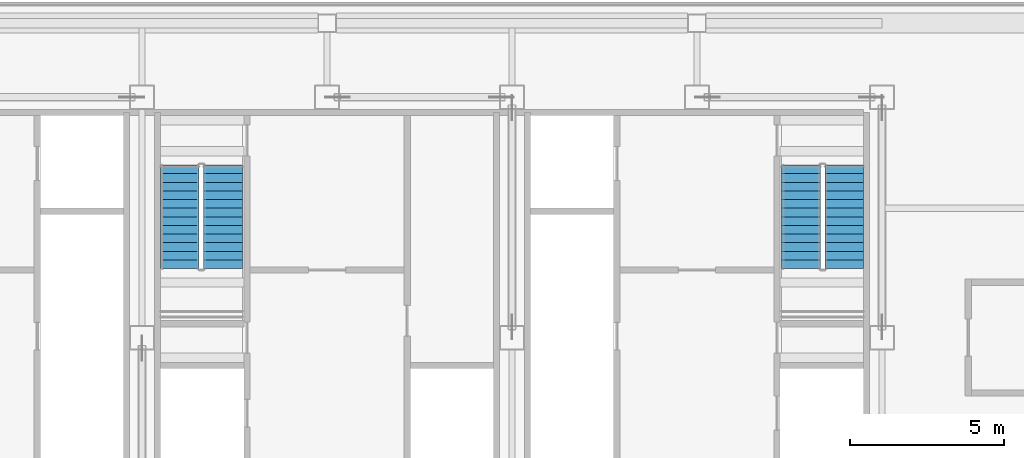
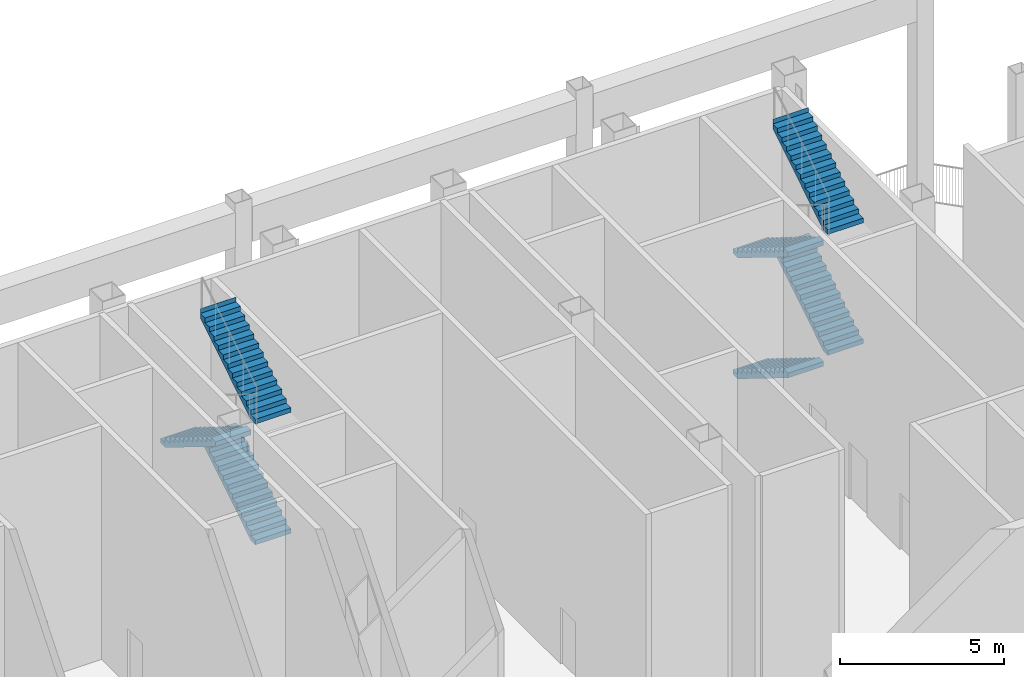
# One storey, part 10 of 22: 7 stair flights, 2 elements without a shape of their own.
"""IFC4 building model written with IfcOpenShell, lengths in metres."""

from ifc_helpers import new_model, si_unit, direction, frame, origin, place, context, subcontext, project, spatial, polyline, outline, extrude, material, type_object, element, aggregate, save


model = new_model("IFC4")

# Units and contexts
model_context = context("Model", 3, precision=1e-05, world=origin(), true_north=direction((0.0, 1.0)))
body_context = subcontext(model_context, "Body", "Model", "MODEL_VIEW")
ifc_project = project(units=[si_unit("LENGTHUNIT", "METRE"), si_unit("AREAUNIT", "SQUARE_METRE"), si_unit("VOLUMEUNIT", "CUBIC_METRE"), si_unit("PLANEANGLEUNIT", "RADIAN"), si_unit("MASSUNIT", "GRAM", prefix="KILO")], contexts=[model_context])

# Site, building, storey
site_placement = place(None, origin())
site = spatial("IfcSite", under=ifc_project, at=site_placement, CompositionType="ELEMENT")
building_placement = place(site_placement, origin())
building = spatial("IfcBuilding", under=site, at=building_placement, Name="Sorahane Residences", CompositionType="ELEMENT")
storey_placement = place(building_placement, frame((0.0, 0.0, 281.800048828125)))
storey = spatial("IfcBuildingStorey", under=building, at=storey_placement, Name="L67", CompositionType="ELEMENT", Elevation=281.800048828125)

# Stair, stair flights
ifc_material_1 = material(Name="Concrete C40", Category="concrete")
stair_type = type_object("IfcStairType", Name="Dog-leg stair 1250 Concrete C40", PredefinedType="HALF_TURN_STAIR", material=ifc_material_1)
stair_1_placement = place(storey_placement, origin())
stair_1 = element("IfcStair", 1, at=stair_1_placement, inside=storey, type_object=stair_type, Name="L67 Stair S2", PredefinedType="HALF_TURN_STAIR")
ifc_material_2 = material(Name="Concrete C40", Category="concrete")
stair_flight_type = type_object("IfcStairFlightType", Name="Stair flight 1250 Concrete C40", PredefinedType="STRAIGHT", material=ifc_material_2)
stair_flight_1_placement = place(storey_placement, frame((39.375, 43.39990234375, 0.0), z_axis=(0.0, 0.0, 1.0), x_axis=(0.0, -1.0, 0.0)))
stair_flight_1 = element("IfcStairFlight", 2, at=stair_flight_1_placement, type_object=stair_flight_type, Name="S2 flight 1", NumberOfRisers=13, NumberOfTreads=12, PredefinedType="STRAIGHT", RiserHeight=0.173076923, TreadLength=0.28, context=body_context, shape_type="SweptSolid", body=[
    extrude(outline(polyline([(-0.00146484375, 0.0), (-0.00146484375, 0.173095703125), (0.0, 0.173095703125), (0.280029296875, 0.173095703125), (0.280029296875, 0.34619140625), (0.56005859375, 0.34619140625), (0.56005859375, 0.519287109375), (0.840087890625, 0.519287109375), (0.840087890625, 0.6923828125), (1.1201171875, 0.6923828125), (1.1201171875, 0.865478515625), (1.39990234375, 0.865478515625), (1.39990234375, 1.03857421875), (1.679931640625, 1.03857421875), (1.679931640625, 1.21142578125), (1.9599609375, 1.21142578125), (1.9599609375, 1.384521484375), (2.239990234375, 1.384521484375), (2.239990234375, 1.5576171875), (2.52001953125, 1.5576171875), (2.52001953125, 1.730712890625), (2.800048828125, 1.730712890625), (2.800048828125, 1.90380859375), (3.080078125, 1.90380859375), (3.080078125, 2.076904296875), (3.360107421875, 2.076904296875), (3.360107421875, 2.25), (3.360107421875, 1.900634765625), (3.140380859375, 1.764892578125), (2.920654296875, 1.629150390625), (2.701171875, 1.493408203125), (2.4814453125, 1.357666015625), (2.26171875, 1.221923828125), (2.042236328125, 1.086181640625), (1.822509765625, 0.950439453125), (1.60302734375, 0.814697265625), (1.38330078125, 0.6787109375), (1.16357421875, 0.54296875), (0.944091796875, 0.4072265625), (0.724365234375, 0.271484375), (0.504638671875, 0.1357421875), (0.28515625, 0.0), (-0.00146484375, 0.0)])), frame((0.0, 0.625, 0.0), z_axis=(0.0, -1.0, 0.0), x_axis=(1.0, 0.0, 0.0)), (0.0, 0.0, 1.0), 1.25),
])
stair_flight_2_placement = place(storey_placement, frame((40.77490234375, 40.0400390625, 2.25), z_axis=(0.0, 0.0, 1.0), x_axis=(0.0, 1.0, 0.0)))
stair_flight_2 = element("IfcStairFlight", 3, at=stair_flight_2_placement, type_object=stair_flight_type, Name="S2 flight 2", NumberOfRisers=13, NumberOfTreads=12, PredefinedType="STRAIGHT", RiserHeight=0.173076923, TreadLength=0.28, context=body_context, shape_type="SweptSolid", body=[
    extrude(outline(polyline([(0.0, 0.0), (0.0, 0.173095703125), (0.280029296875, 0.173095703125), (0.280029296875, 0.34619140625), (0.56005859375, 0.34619140625), (0.56005859375, 0.519287109375), (0.840087890625, 0.519287109375), (0.840087890625, 0.6923828125), (1.1201171875, 0.6923828125), (1.1201171875, 0.865478515625), (1.39990234375, 0.865478515625), (1.39990234375, 1.03857421875), (1.679931640625, 1.03857421875), (1.679931640625, 1.21142578125), (1.9599609375, 1.21142578125), (1.9599609375, 1.384521484375), (2.239990234375, 1.384521484375), (2.239990234375, 1.5576171875), (2.52001953125, 1.5576171875), (2.52001953125, 1.730712890625), (2.800048828125, 1.730712890625), (2.800048828125, 1.90380859375), (3.080078125, 1.90380859375), (3.080078125, 2.076904296875), (3.360107421875, 2.076904296875), (3.360107421875, 2.25), (3.360107421875, 1.900634765625), (3.12353515625, 1.75439453125), (2.886962890625, 1.6083984375), (2.650390625, 1.462158203125), (2.413818359375, 1.31591796875), (2.17724609375, 1.169677734375), (1.94091796875, 1.0234375), (1.704345703125, 0.877197265625), (1.4677734375, 0.73095703125), (1.231201171875, 0.584716796875), (0.99462890625, 0.438720703125), (0.758056640625, 0.29248046875), (0.521728515625, 0.146240234375), (0.28515625, 0.0), (0.0, 0.0)])), frame((0.0, 0.625, 0.0), z_axis=(0.0, -1.0, 0.0), x_axis=(1.0, 0.0, 0.0)), (0.0, 0.0, 1.0), 1.25),
])
stair_flight_3_placement = place(storey_placement, frame((39.375, 43.39990234375, 4.5), z_axis=(0.0, 0.0, 1.0), x_axis=(0.0, -1.0, 0.0)))
stair_flight_3 = element("IfcStairFlight", 4, at=stair_flight_3_placement, type_object=stair_flight_type, Name="S2 flight 3", NumberOfRisers=13, NumberOfTreads=12, PredefinedType="STRAIGHT", RiserHeight=0.173076923, TreadLength=0.28, context=body_context, shape_type="SweptSolid", body=[
    extrude(outline(polyline([(0.0, 0.0), (0.0, 0.173095703125), (0.280029296875, 0.173095703125), (0.280029296875, 0.34619140625), (0.56005859375, 0.34619140625), (0.56005859375, 0.519287109375), (0.840087890625, 0.519287109375), (0.840087890625, 0.6923828125), (1.1201171875, 0.6923828125), (1.1201171875, 0.865478515625), (1.39990234375, 0.865478515625), (1.39990234375, 1.03857421875), (1.679931640625, 1.03857421875), (1.679931640625, 1.21142578125), (1.9599609375, 1.21142578125), (1.9599609375, 1.384521484375), (2.239990234375, 1.384521484375), (2.239990234375, 1.5576171875), (2.52001953125, 1.5576171875), (2.52001953125, 1.730712890625), (2.800048828125, 1.730712890625), (2.800048828125, 1.90380859375), (3.080078125, 1.90380859375), (3.080078125, 2.076904296875), (3.360107421875, 2.076904296875), (3.360107421875, 2.25), (3.360107421875, 1.900634765625), (3.12353515625, 1.75439453125), (2.886962890625, 1.6083984375), (2.650390625, 1.462158203125), (2.413818359375, 1.31591796875), (2.17724609375, 1.169677734375), (1.94091796875, 1.0234375), (1.704345703125, 0.877197265625), (1.4677734375, 0.73095703125), (1.231201171875, 0.584716796875), (0.99462890625, 0.438720703125), (0.758056640625, 0.29248046875), (0.521728515625, 0.146240234375), (0.28515625, 0.0), (0.0, 0.0)])), frame((0.0, 0.625, 0.0), z_axis=(0.0, -1.0, 0.0), x_axis=(1.0, 0.0, 0.0)), (0.0, 0.0, 1.0), 1.25),
])
stair_flight_4_placement = place(storey_placement, frame((40.77490234375, 40.0400390625, 6.75), z_axis=(0.0, 0.0, 1.0), x_axis=(0.0, 1.0, 0.0)))
stair_flight_4 = element("IfcStairFlight", 5, at=stair_flight_4_placement, type_object=stair_flight_type, Name="S2 flight 4", NumberOfRisers=13, NumberOfTreads=12, PredefinedType="STRAIGHT", RiserHeight=0.173076923, TreadLength=0.28, context=body_context, shape_type="SweptSolid", body=[
    extrude(outline(polyline([(0.0, 0.0), (0.0, 0.173095703125), (0.280029296875, 0.173095703125), (0.280029296875, 0.34619140625), (0.56005859375, 0.34619140625), (0.56005859375, 0.519287109375), (0.840087890625, 0.519287109375), (0.840087890625, 0.6923828125), (1.1201171875, 0.6923828125), (1.1201171875, 0.865478515625), (1.39990234375, 0.865478515625), (1.39990234375, 1.03857421875), (1.679931640625, 1.03857421875), (1.679931640625, 1.21142578125), (1.9599609375, 1.21142578125), (1.9599609375, 1.384521484375), (2.239990234375, 1.384521484375), (2.239990234375, 1.5576171875), (2.52001953125, 1.5576171875), (2.52001953125, 1.730712890625), (2.800048828125, 1.730712890625), (2.800048828125, 1.90380859375), (3.080078125, 1.90380859375), (3.080078125, 2.076904296875), (3.360107421875, 2.076904296875), (3.360107421875, 2.25), (3.361572265625, 2.25), (3.361572265625, 1.900634765625), (3.141845703125, 1.764892578125), (2.922119140625, 1.629150390625), (2.702392578125, 1.493408203125), (2.482421875, 1.357666015625), (2.2626953125, 1.221923828125), (2.04296875, 1.086181640625), (1.8232421875, 0.950439453125), (1.603515625, 0.814697265625), (1.3837890625, 0.6787109375), (1.1640625, 0.54296875), (0.9443359375, 0.4072265625), (0.724609375, 0.271484375), (0.5048828125, 0.1357421875), (0.28515625, 0.0), (0.0, 0.0)])), frame((0.0, 0.625, 0.0), z_axis=(0.0, -1.0, 0.0), x_axis=(1.0, 0.0, 0.0)), (0.0, 0.0, 1.0), 1.25),
])
aggregate(stair_1, [stair_flight_1, stair_flight_2, stair_flight_3, stair_flight_4])

stair_2_placement = place(storey_placement, origin())
stair_2 = element("IfcStair", 6, at=stair_2_placement, inside=storey, type_object=stair_type, Name="L67 Stair S3", PredefinedType="HALF_TURN_STAIR")
stair_flight_5_placement = place(storey_placement, frame((20.625, 40.0400390625, 2.25), z_axis=(0.0, 0.0, 1.0), x_axis=(0.0, 1.0, 0.0)))
stair_flight_5 = element("IfcStairFlight", 7, at=stair_flight_5_placement, type_object=stair_flight_type, Name="S3 flight 2", NumberOfRisers=13, NumberOfTreads=12, PredefinedType="STRAIGHT", RiserHeight=0.173076923, TreadLength=0.28, context=body_context, shape_type="SweptSolid", body=[
    extrude(outline(polyline([(0.0, 0.0), (0.0, 0.173095703125), (0.280029296875, 0.173095703125), (0.280029296875, 0.34619140625), (0.56005859375, 0.34619140625), (0.56005859375, 0.519287109375), (0.840087890625, 0.519287109375), (0.840087890625, 0.6923828125), (1.1201171875, 0.6923828125), (1.1201171875, 0.865478515625), (1.39990234375, 0.865478515625), (1.39990234375, 1.03857421875), (1.679931640625, 1.03857421875), (1.679931640625, 1.21142578125), (1.9599609375, 1.21142578125), (1.9599609375, 1.384521484375), (2.239990234375, 1.384521484375), (2.239990234375, 1.5576171875), (2.52001953125, 1.5576171875), (2.52001953125, 1.730712890625), (2.800048828125, 1.730712890625), (2.800048828125, 1.90380859375), (3.080078125, 1.90380859375), (3.080078125, 2.076904296875), (3.360107421875, 2.076904296875), (3.360107421875, 2.25), (3.360107421875, 1.900634765625), (3.12353515625, 1.75439453125), (2.886962890625, 1.6083984375), (2.650390625, 1.462158203125), (2.413818359375, 1.31591796875), (2.17724609375, 1.169677734375), (1.94091796875, 1.0234375), (1.704345703125, 0.877197265625), (1.4677734375, 0.73095703125), (1.231201171875, 0.584716796875), (0.99462890625, 0.438720703125), (0.758056640625, 0.29248046875), (0.521728515625, 0.146240234375), (0.28515625, 0.0), (0.0, 0.0)])), frame((0.0, 0.625, 0.0), z_axis=(0.0, -1.0, 0.0), x_axis=(1.0, 0.0, 0.0)), (0.0, 0.0, 1.0), 1.25),
])
stair_flight_6_placement = place(storey_placement, frame((19.22509765625, 43.39990234375, 4.5), z_axis=(0.0, 0.0, 1.0), x_axis=(0.0, -1.0, 0.0)))
stair_flight_6 = element("IfcStairFlight", 8, at=stair_flight_6_placement, type_object=stair_flight_type, Name="S3 flight 3", NumberOfRisers=13, NumberOfTreads=12, PredefinedType="STRAIGHT", RiserHeight=0.173076923, TreadLength=0.28, context=body_context, shape_type="SweptSolid", body=[
    extrude(outline(polyline([(0.0, 0.0), (0.0, 0.173095703125), (0.280029296875, 0.173095703125), (0.280029296875, 0.34619140625), (0.56005859375, 0.34619140625), (0.56005859375, 0.519287109375), (0.840087890625, 0.519287109375), (0.840087890625, 0.6923828125), (1.1201171875, 0.6923828125), (1.1201171875, 0.865478515625), (1.39990234375, 0.865478515625), (1.39990234375, 1.03857421875), (1.679931640625, 1.03857421875), (1.679931640625, 1.21142578125), (1.9599609375, 1.21142578125), (1.9599609375, 1.384521484375), (2.239990234375, 1.384521484375), (2.239990234375, 1.5576171875), (2.52001953125, 1.5576171875), (2.52001953125, 1.730712890625), (2.800048828125, 1.730712890625), (2.800048828125, 1.90380859375), (3.080078125, 1.90380859375), (3.080078125, 2.076904296875), (3.360107421875, 2.076904296875), (3.360107421875, 2.25), (3.360107421875, 1.900634765625), (3.12353515625, 1.75439453125), (2.886962890625, 1.6083984375), (2.650390625, 1.462158203125), (2.413818359375, 1.31591796875), (2.17724609375, 1.169677734375), (1.94091796875, 1.0234375), (1.704345703125, 0.877197265625), (1.4677734375, 0.73095703125), (1.231201171875, 0.584716796875), (0.99462890625, 0.438720703125), (0.758056640625, 0.29248046875), (0.521728515625, 0.146240234375), (0.28515625, 0.0), (0.0, 0.0)])), frame((0.0, 0.625, 0.0), z_axis=(0.0, -1.0, 0.0), x_axis=(1.0, 0.0, 0.0)), (0.0, 0.0, 1.0), 1.25),
])
stair_flight_7_placement = place(storey_placement, frame((20.625, 40.0400390625, 6.75), z_axis=(0.0, 0.0, 1.0), x_axis=(0.0, 1.0, 0.0)))
stair_flight_7 = element("IfcStairFlight", 9, at=stair_flight_7_placement, type_object=stair_flight_type, Name="S3 flight 4", NumberOfRisers=13, NumberOfTreads=12, PredefinedType="STRAIGHT", RiserHeight=0.173076923, TreadLength=0.28, context=body_context, shape_type="SweptSolid", body=[
    extrude(outline(polyline([(0.0, 0.0), (0.0, 0.173095703125), (0.280029296875, 0.173095703125), (0.280029296875, 0.34619140625), (0.56005859375, 0.34619140625), (0.56005859375, 0.519287109375), (0.840087890625, 0.519287109375), (0.840087890625, 0.6923828125), (1.1201171875, 0.6923828125), (1.1201171875, 0.865478515625), (1.39990234375, 0.865478515625), (1.39990234375, 1.03857421875), (1.679931640625, 1.03857421875), (1.679931640625, 1.21142578125), (1.9599609375, 1.21142578125), (1.9599609375, 1.384521484375), (2.239990234375, 1.384521484375), (2.239990234375, 1.5576171875), (2.52001953125, 1.5576171875), (2.52001953125, 1.730712890625), (2.800048828125, 1.730712890625), (2.800048828125, 1.90380859375), (3.080078125, 1.90380859375), (3.080078125, 2.076904296875), (3.360107421875, 2.076904296875), (3.360107421875, 2.25), (3.361572265625, 2.25), (3.361572265625, 1.900634765625), (3.141845703125, 1.764892578125), (2.922119140625, 1.629150390625), (2.702392578125, 1.493408203125), (2.482421875, 1.357666015625), (2.2626953125, 1.221923828125), (2.04296875, 1.086181640625), (1.8232421875, 0.950439453125), (1.603515625, 0.814697265625), (1.3837890625, 0.6787109375), (1.1640625, 0.54296875), (0.9443359375, 0.4072265625), (0.724609375, 0.271484375), (0.5048828125, 0.1357421875), (0.28515625, 0.0), (0.0, 0.0)])), frame((0.0, 0.625, 0.0), z_axis=(0.0, -1.0, 0.0), x_axis=(1.0, 0.0, 0.0)), (0.0, 0.0, 1.0), 1.25),
])
aggregate(stair_2, [stair_flight_5, stair_flight_6, stair_flight_7])

save(model, "model.ifc")
